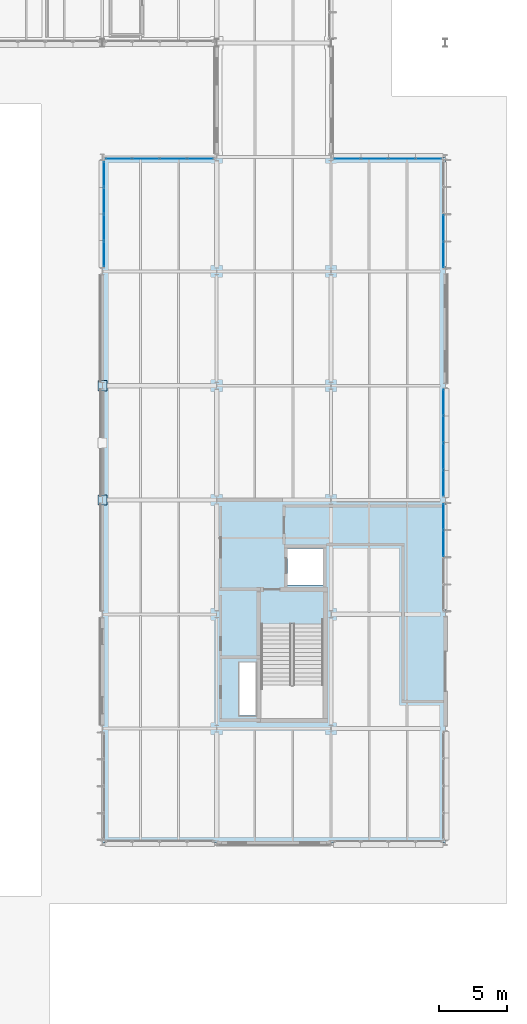
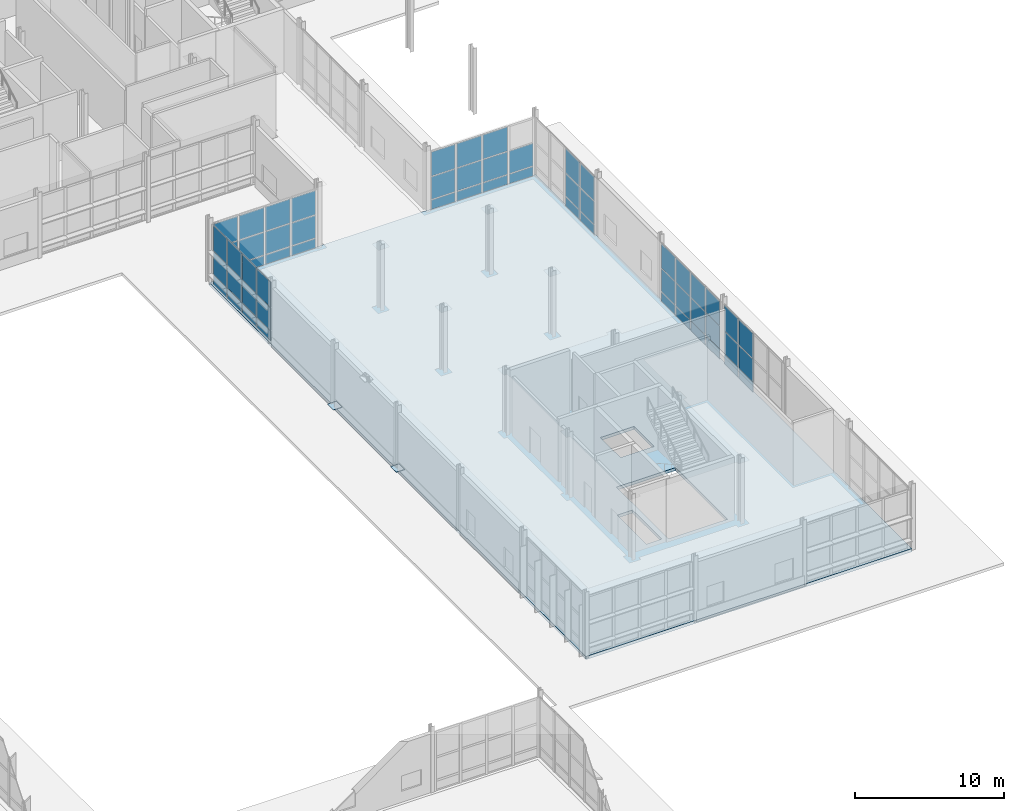
# One storey, part 78 of 124: 61 plates, 1 slab, 6 elements without a shape of their own.
"""IFC4 building model written with IfcOpenShell, lengths in metres."""

from ifc_helpers import new_model, si_unit, direction, frame, origin, origin_2d, place, context, subcontext, project, spatial, polyline, rectangle, outline, extrude, material, layer, layer_set, type_object, element, aggregate, save


model = new_model("IFC4")

# Units and contexts
model_context = context("Model", 3, precision=1e-05, world=origin(), true_north=direction((0.0, 1.0)))
body_context = subcontext(model_context, "Body", "Model", "MODEL_VIEW")
ifc_project = project(units=[si_unit("LENGTHUNIT", "METRE"), si_unit("AREAUNIT", "SQUARE_METRE"), si_unit("VOLUMEUNIT", "CUBIC_METRE"), si_unit("PLANEANGLEUNIT", "RADIAN"), si_unit("MASSUNIT", "GRAM", prefix="KILO")], contexts=[model_context])

# Site, building, storey
site_placement = place(None, origin())
site = spatial("IfcSite", under=ifc_project, at=site_placement, CompositionType="ELEMENT")
building_placement = place(site_placement, origin())
building = spatial("IfcBuilding", under=site, at=building_placement, Name="Mersafa Astral City Hall", CompositionType="ELEMENT")
storey_placement = place(building_placement, origin())
storey = spatial("IfcBuildingStorey", under=building, at=storey_placement, Name="L00", CompositionType="ELEMENT", Elevation=0.0)

# Curtain wall, plates
ifc_material_1 = material(Name="Anodised bronze aluminium framing", Category="aluminium")
curtain_wall_type_1 = type_object("IfcCurtainWallType", Name="ENV-CW-3", PredefinedType="USERDEFINED", material=ifc_material_1)
curtain_wall_1_placement = place(storey_placement, origin())
curtain_wall_1 = element("IfcCurtainWall", 1, at=curtain_wall_1_placement, inside=storey, type_object=curtain_wall_type_1, Name="L00 Unitised solar curtain wall 20", ObjectType="UNITISED CURTAIN WALL", PredefinedType="USERDEFINED")
ifc_material_2 = material(Name="Solar control low-e double glazing", Category="glass")
ifc_layer_1 = layer(ifc_material_2, 0.028076171875, Name="Solar control low-e double glazing")
ifc_layer_set_1 = layer_set([ifc_layer_1], Name="Solar control low-e double glazing — ENV-CW-PNL-GLZ-1")
plate_type_1 = type_object("IfcPlateType", Name="ENV-CW-PNL-GLZ-1", PredefinedType="CURTAIN_PANEL", material=ifc_layer_set_1)
plate_1_placement = place(storey_placement, frame((166.798583984375, 92.280029296875, 0.05810546875), z_axis=(0.0, 0.0, 1.0), x_axis=(-1.0, 0.0, 0.0)))
plate_1 = element("IfcPlate", 2, at=plate_1_placement, type_object=plate_type_1, Name="CW-3 panel 1.1", PredefinedType="CURTAIN_PANEL", context=body_context, shape_type="SweptSolid", body=[
    extrude(rectangle(XDim=1.839111328125, YDim=0.028076171875, at=origin_2d()), origin(), (0.0, 0.0, 1.0), 0.761962890625),
])
plate_2_placement = place(storey_placement, frame((166.798583984375, 92.280029296875, 0.8798828125), z_axis=(0.0, 0.0, 1.0), x_axis=(-1.0, 0.0, 0.0)))
plate_2 = element("IfcPlate", 3, at=plate_2_placement, type_object=plate_type_1, Name="CW-3 panel 1.2", PredefinedType="CURTAIN_PANEL", context=body_context, shape_type="SweptSolid", body=[
    extrude(rectangle(XDim=1.839111328125, YDim=0.028076171875, at=origin_2d()), origin(), (0.0, 0.0, 1.0), 1.840087890625),
])
plate_3_placement = place(storey_placement, frame((166.798583984375, 92.280029296875, 2.7802734375), z_axis=(0.0, 0.0, 1.0), x_axis=(-1.0, 0.0, 0.0)))
plate_3 = element("IfcPlate", 4, at=plate_3_placement, type_object=plate_type_1, Name="CW-3 panel 1.3", PredefinedType="CURTAIN_PANEL", context=body_context, shape_type="SweptSolid", body=[
    extrude(rectangle(XDim=1.839111328125, YDim=0.028076171875, at=origin_2d()), origin(), (0.0, 0.0, 1.0), 1.971923828125),
])
plate_4_placement = place(storey_placement, frame((164.8095703125, 92.280029296875, 0.05810546875), z_axis=(0.0, 0.0, 1.0), x_axis=(-1.0, 0.0, 0.0)))
plate_4 = element("IfcPlate", 5, at=plate_4_placement, type_object=plate_type_1, Name="CW-3 panel 2.1", PredefinedType="CURTAIN_PANEL", context=body_context, shape_type="SweptSolid", body=[
    extrude(rectangle(XDim=1.89892578125, YDim=0.028076171875, at=origin_2d()), origin(), (0.0, 0.0, 1.0), 0.761962890625),
])
plate_5_placement = place(storey_placement, frame((164.8095703125, 92.280029296875, 0.8798828125), z_axis=(0.0, 0.0, 1.0), x_axis=(-1.0, 0.0, 0.0)))
plate_5 = element("IfcPlate", 6, at=plate_5_placement, type_object=plate_type_1, Name="CW-3 panel 2.2", PredefinedType="CURTAIN_PANEL", context=body_context, shape_type="SweptSolid", body=[
    extrude(rectangle(XDim=1.89892578125, YDim=0.028076171875, at=origin_2d()), origin(), (0.0, 0.0, 1.0), 1.840087890625),
])
plate_6_placement = place(storey_placement, frame((164.8095703125, 92.280029296875, 2.7802734375), z_axis=(0.0, 0.0, 1.0), x_axis=(-1.0, 0.0, 0.0)))
plate_6 = element("IfcPlate", 7, at=plate_6_placement, type_object=plate_type_1, Name="CW-3 panel 2.3", PredefinedType="CURTAIN_PANEL", context=body_context, shape_type="SweptSolid", body=[
    extrude(rectangle(XDim=1.89892578125, YDim=0.028076171875, at=origin_2d()), origin(), (0.0, 0.0, 1.0), 1.971923828125),
])
plate_7_placement = place(storey_placement, frame((162.79052734375, 92.280029296875, 0.05810546875), z_axis=(0.0, 0.0, 1.0), x_axis=(-1.0, 0.0, 0.0)))
plate_7 = element("IfcPlate", 8, at=plate_7_placement, type_object=plate_type_1, Name="CW-3 panel 3.1", PredefinedType="CURTAIN_PANEL", context=body_context, shape_type="SweptSolid", body=[
    extrude(rectangle(XDim=1.89892578125, YDim=0.028076171875, at=origin_2d()), origin(), (0.0, 0.0, 1.0), 0.761962890625),
])
plate_8_placement = place(storey_placement, frame((162.79052734375, 92.280029296875, 0.8798828125), z_axis=(0.0, 0.0, 1.0), x_axis=(-1.0, 0.0, 0.0)))
plate_8 = element("IfcPlate", 9, at=plate_8_placement, type_object=plate_type_1, Name="CW-3 panel 3.2", PredefinedType="CURTAIN_PANEL", context=body_context, shape_type="SweptSolid", body=[
    extrude(rectangle(XDim=1.89892578125, YDim=0.028076171875, at=origin_2d()), origin(), (0.0, 0.0, 1.0), 1.840087890625),
])
plate_9_placement = place(storey_placement, frame((162.79052734375, 92.280029296875, 2.7802734375), z_axis=(0.0, 0.0, 1.0), x_axis=(-1.0, 0.0, 0.0)))
plate_9 = element("IfcPlate", 10, at=plate_9_placement, type_object=plate_type_1, Name="CW-3 panel 3.3", PredefinedType="CURTAIN_PANEL", context=body_context, shape_type="SweptSolid", body=[
    extrude(rectangle(XDim=1.89892578125, YDim=0.028076171875, at=origin_2d()), origin(), (0.0, 0.0, 1.0), 1.971923828125),
])
plate_10_placement = place(storey_placement, frame((160.801513671875, 92.280029296875, 0.05810546875), z_axis=(0.0, 0.0, 1.0), x_axis=(-1.0, 0.0, 0.0)))
plate_10 = element("IfcPlate", 11, at=plate_10_placement, type_object=plate_type_1, Name="CW-3 panel 4.1", PredefinedType="CURTAIN_PANEL", context=body_context, shape_type="SweptSolid", body=[
    extrude(rectangle(XDim=1.839111328125, YDim=0.028076171875, at=origin_2d()), origin(), (0.0, 0.0, 1.0), 0.761962890625),
])
plate_11_placement = place(storey_placement, frame((160.801513671875, 92.280029296875, 0.8798828125), z_axis=(0.0, 0.0, 1.0), x_axis=(-1.0, 0.0, 0.0)))
plate_11 = element("IfcPlate", 12, at=plate_11_placement, type_object=plate_type_1, Name="CW-3 panel 4.2", PredefinedType="CURTAIN_PANEL", context=body_context, shape_type="SweptSolid", body=[
    extrude(rectangle(XDim=1.839111328125, YDim=0.028076171875, at=origin_2d()), origin(), (0.0, 0.0, 1.0), 1.840087890625),
])
plate_12_placement = place(storey_placement, frame((160.801513671875, 92.280029296875, 2.7802734375), z_axis=(0.0, 0.0, 1.0), x_axis=(-1.0, 0.0, 0.0)))
plate_12 = element("IfcPlate", 13, at=plate_12_placement, type_object=plate_type_1, Name="CW-3 panel 4.3", PredefinedType="CURTAIN_PANEL", context=body_context, shape_type="SweptSolid", body=[
    extrude(rectangle(XDim=1.839111328125, YDim=0.028076171875, at=origin_2d()), origin(), (0.0, 0.0, 1.0), 1.971923828125),
])
aggregate(curtain_wall_1, [plate_1, plate_2, plate_3, plate_4, plate_5, plate_6, plate_7, plate_8, plate_9, plate_10, plate_11, plate_12])

curtain_wall_type_2 = type_object("IfcCurtainWallType", Name="ENV-CW-5", PredefinedType="USERDEFINED", material=ifc_material_1)
curtain_wall_2_placement = place(storey_placement, origin())
curtain_wall_2 = element("IfcCurtainWall", 14, at=curtain_wall_2_placement, inside=storey, type_object=curtain_wall_type_2, Name="L00 Unitised solar curtain wall 28", ObjectType="UNITISED CURTAIN WALL", PredefinedType="USERDEFINED")
plate_13_placement = place(storey_placement, frame((184.679931640625, 85.225341796875, 0.05810546875), z_axis=(0.0, 0.0, 1.0), x_axis=(0.0, 1.0, 0.0)))
plate_13 = element("IfcPlate", 15, at=plate_13_placement, type_object=plate_type_1, Name="CW-5 panel 1.1", PredefinedType="CURTAIN_PANEL", context=body_context, shape_type="SweptSolid", body=[
    extrude(rectangle(XDim=1.826416015625, YDim=0.028076171875, at=origin_2d()), origin(), (0.0, 0.0, 1.0), 0.761962890625),
])
plate_14_placement = place(storey_placement, frame((184.679931640625, 85.225341796875, 0.8798828125), z_axis=(0.0, 0.0, 1.0), x_axis=(0.0, 1.0, 0.0)))
plate_14 = element("IfcPlate", 16, at=plate_14_placement, type_object=plate_type_1, Name="CW-5 panel 1.2", PredefinedType="CURTAIN_PANEL", context=body_context, shape_type="SweptSolid", body=[
    extrude(rectangle(XDim=1.826416015625, YDim=0.028076171875, at=origin_2d()), origin(), (0.0, 0.0, 1.0), 1.840087890625),
])
plate_15_placement = place(storey_placement, frame((184.679931640625, 85.225341796875, 2.7802734375), z_axis=(0.0, 0.0, 1.0), x_axis=(0.0, 1.0, 0.0)))
plate_15 = element("IfcPlate", 17, at=plate_15_placement, type_object=plate_type_1, Name="CW-5 panel 1.3", PredefinedType="CURTAIN_PANEL", context=body_context, shape_type="SweptSolid", body=[
    extrude(rectangle(XDim=1.826416015625, YDim=0.028076171875, at=origin_2d()), origin(), (0.0, 0.0, 1.0), 1.971923828125),
])
plate_16_placement = place(storey_placement, frame((184.679931640625, 87.20166015625, 0.05810546875), z_axis=(0.0, 0.0, 1.0), x_axis=(0.0, 1.0, 0.0)))
plate_16 = element("IfcPlate", 18, at=plate_16_placement, type_object=plate_type_1, Name="CW-5 panel 2.1", PredefinedType="CURTAIN_PANEL", context=body_context, shape_type="SweptSolid", body=[
    extrude(rectangle(XDim=1.886474609375, YDim=0.028076171875, at=origin_2d()), origin(), (0.0, 0.0, 1.0), 0.761962890625),
])
plate_17_placement = place(storey_placement, frame((184.679931640625, 87.20166015625, 0.8798828125), z_axis=(0.0, 0.0, 1.0), x_axis=(0.0, 1.0, 0.0)))
plate_17 = element("IfcPlate", 19, at=plate_17_placement, type_object=plate_type_1, Name="CW-5 panel 2.2", PredefinedType="CURTAIN_PANEL", context=body_context, shape_type="SweptSolid", body=[
    extrude(rectangle(XDim=1.886474609375, YDim=0.028076171875, at=origin_2d()), origin(), (0.0, 0.0, 1.0), 1.840087890625),
])
plate_18_placement = place(storey_placement, frame((184.679931640625, 87.20166015625, 2.7802734375), z_axis=(0.0, 0.0, 1.0), x_axis=(0.0, 1.0, 0.0)))
plate_18 = element("IfcPlate", 20, at=plate_18_placement, type_object=plate_type_1, Name="CW-5 panel 2.3", PredefinedType="CURTAIN_PANEL", context=body_context, shape_type="SweptSolid", body=[
    extrude(rectangle(XDim=1.886474609375, YDim=0.028076171875, at=origin_2d()), origin(), (0.0, 0.0, 1.0), 1.971923828125),
])
aggregate(curtain_wall_2, [plate_13, plate_14, plate_15, plate_16, plate_17, plate_18])

curtain_wall_type_3 = type_object("IfcCurtainWallType", Name="ENV-CW-4", PredefinedType="USERDEFINED", material=ifc_material_1)
curtain_wall_3_placement = place(storey_placement, origin())
curtain_wall_3 = element("IfcCurtainWall", 21, at=curtain_wall_3_placement, inside=storey, type_object=curtain_wall_type_3, Name="L00 Unitised solar curtain wall 21", ObjectType="UNITISED CURTAIN WALL", PredefinedType="USERDEFINED")
ifc_layer_2 = layer(ifc_material_2, 0.031982421875, Name="Solar control low-e double glazing")
ifc_layer_set_2 = layer_set([ifc_layer_2], Name="Solar control low-e double glazing — ENV-CW-PNL-GLZ-2")
plate_type_2 = type_object("IfcPlateType", Name="ENV-CW-PNL-GLZ-2", PredefinedType="CURTAIN_PANEL", material=ifc_layer_set_2)
plate_19_placement = place(storey_placement, frame((159.719970703125, 91.145263671875, 0.05810546875), z_axis=(0.0, 0.0, 1.0), x_axis=(0.0, -1.0, 0.0)))
plate_19 = element("IfcPlate", 22, at=plate_19_placement, type_object=plate_type_2, Name="CW-4 panel 1.1", PredefinedType="CURTAIN_PANEL", context=body_context, shape_type="SweptSolid", body=[
    extrude(rectangle(XDim=1.795166015625, YDim=0.031982421875, at=origin_2d()), origin(), (0.0, 0.0, 1.0), 0.761962890625),
])
plate_20_placement = place(storey_placement, frame((159.719970703125, 91.145263671875, 0.8798828125), z_axis=(0.0, 0.0, 1.0), x_axis=(0.0, -1.0, 0.0)))
plate_20 = element("IfcPlate", 23, at=plate_20_placement, type_object=plate_type_2, Name="CW-4 panel 1.2", PredefinedType="CURTAIN_PANEL", context=body_context, shape_type="SweptSolid", body=[
    extrude(rectangle(XDim=1.795166015625, YDim=0.031982421875, at=origin_2d()), origin(), (0.0, 0.0, 1.0), 1.840087890625),
])
plate_21_placement = place(storey_placement, frame((159.719970703125, 91.145263671875, 2.780029296875), z_axis=(0.0, 0.0, 1.0), x_axis=(0.0, -1.0, 0.0)))
plate_21 = element("IfcPlate", 24, at=plate_21_placement, type_object=plate_type_2, Name="CW-4 panel 1.3", PredefinedType="CURTAIN_PANEL", context=body_context, shape_type="SweptSolid", body=[
    extrude(rectangle(XDim=1.795166015625, YDim=0.031982421875, at=origin_2d()), origin(), (0.0, 0.0, 1.0), 2.06201171875),
])
plate_22_placement = place(storey_placement, frame((159.719970703125, 89.2001953125, 0.05810546875), z_axis=(0.0, 0.0, 1.0), x_axis=(0.0, -1.0, 0.0)))
plate_22 = element("IfcPlate", 25, at=plate_22_placement, type_object=plate_type_2, Name="CW-4 panel 2.1", PredefinedType="CURTAIN_PANEL", context=body_context, shape_type="SweptSolid", body=[
    extrude(rectangle(XDim=1.855224609375, YDim=0.031982421875, at=origin_2d()), origin(), (0.0, 0.0, 1.0), 0.761962890625),
])
plate_23_placement = place(storey_placement, frame((159.719970703125, 89.2001953125, 0.8798828125), z_axis=(0.0, 0.0, 1.0), x_axis=(0.0, -1.0, 0.0)))
plate_23 = element("IfcPlate", 26, at=plate_23_placement, type_object=plate_type_2, Name="CW-4 panel 2.2", PredefinedType="CURTAIN_PANEL", context=body_context, shape_type="SweptSolid", body=[
    extrude(rectangle(XDim=1.855224609375, YDim=0.031982421875, at=origin_2d()), origin(), (0.0, 0.0, 1.0), 1.840087890625),
])
plate_24_placement = place(storey_placement, frame((159.719970703125, 89.2001953125, 2.780029296875), z_axis=(0.0, 0.0, 1.0), x_axis=(0.0, -1.0, 0.0)))
plate_24 = element("IfcPlate", 27, at=plate_24_placement, type_object=plate_type_2, Name="CW-4 panel 2.3", PredefinedType="CURTAIN_PANEL", context=body_context, shape_type="SweptSolid", body=[
    extrude(rectangle(XDim=1.855224609375, YDim=0.031982421875, at=origin_2d()), origin(), (0.0, 0.0, 1.0), 2.06201171875),
])
plate_25_placement = place(storey_placement, frame((159.719970703125, 87.224853515625, 0.05810546875), z_axis=(0.0, 0.0, 1.0), x_axis=(0.0, -1.0, 0.0)))
plate_25 = element("IfcPlate", 28, at=plate_25_placement, type_object=plate_type_2, Name="CW-4 panel 3.1", PredefinedType="CURTAIN_PANEL", context=body_context, shape_type="SweptSolid", body=[
    extrude(rectangle(XDim=1.855224609375, YDim=0.031982421875, at=origin_2d()), origin(), (0.0, 0.0, 1.0), 0.761962890625),
])
plate_26_placement = place(storey_placement, frame((159.719970703125, 87.224853515625, 0.8798828125), z_axis=(0.0, 0.0, 1.0), x_axis=(0.0, -1.0, 0.0)))
plate_26 = element("IfcPlate", 29, at=plate_26_placement, type_object=plate_type_2, Name="CW-4 panel 3.2", PredefinedType="CURTAIN_PANEL", context=body_context, shape_type="SweptSolid", body=[
    extrude(rectangle(XDim=1.855224609375, YDim=0.031982421875, at=origin_2d()), origin(), (0.0, 0.0, 1.0), 1.840087890625),
])
plate_27_placement = place(storey_placement, frame((159.719970703125, 87.224853515625, 2.780029296875), z_axis=(0.0, 0.0, 1.0), x_axis=(0.0, -1.0, 0.0)))
plate_27 = element("IfcPlate", 30, at=plate_27_placement, type_object=plate_type_2, Name="CW-4 panel 3.3", PredefinedType="CURTAIN_PANEL", context=body_context, shape_type="SweptSolid", body=[
    extrude(rectangle(XDim=1.855224609375, YDim=0.031982421875, at=origin_2d()), origin(), (0.0, 0.0, 1.0), 2.06201171875),
])
plate_28_placement = place(storey_placement, frame((159.719970703125, 85.279541015625, 0.05810546875), z_axis=(0.0, 0.0, 1.0), x_axis=(0.0, -1.0, 0.0)))
plate_28 = element("IfcPlate", 31, at=plate_28_placement, type_object=plate_type_2, Name="CW-4 panel 4.1", PredefinedType="CURTAIN_PANEL", context=body_context, shape_type="SweptSolid", body=[
    extrude(rectangle(XDim=1.795166015625, YDim=0.031982421875, at=origin_2d()), origin(), (0.0, 0.0, 1.0), 0.761962890625),
])
plate_29_placement = place(storey_placement, frame((159.719970703125, 85.279541015625, 0.8798828125), z_axis=(0.0, 0.0, 1.0), x_axis=(0.0, -1.0, 0.0)))
plate_29 = element("IfcPlate", 32, at=plate_29_placement, type_object=plate_type_2, Name="CW-4 panel 4.2", PredefinedType="CURTAIN_PANEL", context=body_context, shape_type="SweptSolid", body=[
    extrude(rectangle(XDim=1.795166015625, YDim=0.031982421875, at=origin_2d()), origin(), (0.0, 0.0, 1.0), 1.840087890625),
])
plate_30_placement = place(storey_placement, frame((159.719970703125, 85.279541015625, 2.780029296875), z_axis=(0.0, 0.0, 1.0), x_axis=(0.0, -1.0, 0.0)))
plate_30 = element("IfcPlate", 33, at=plate_30_placement, type_object=plate_type_2, Name="CW-4 panel 4.3", PredefinedType="CURTAIN_PANEL", context=body_context, shape_type="SweptSolid", body=[
    extrude(rectangle(XDim=1.795166015625, YDim=0.031982421875, at=origin_2d()), origin(), (0.0, 0.0, 1.0), 2.06201171875),
])
aggregate(curtain_wall_3, [plate_19, plate_20, plate_21, plate_22, plate_23, plate_24, plate_25, plate_26, plate_27, plate_28, plate_29, plate_30])

curtain_wall_type_4 = type_object("IfcCurtainWallType", Name="ENV-CW-6", PredefinedType="USERDEFINED", material=ifc_material_1)
curtain_wall_4_placement = place(storey_placement, origin())
curtain_wall_4 = element("IfcCurtainWall", 34, at=curtain_wall_4_placement, inside=storey, type_object=curtain_wall_type_4, Name="L00 Unitised solar curtain wall 29", ObjectType="UNITISED CURTAIN WALL", PredefinedType="USERDEFINED")
plate_31_placement = place(storey_placement, frame((183.598388671875, 92.280029296875, 0.05810546875), z_axis=(0.0, 0.0, 1.0), x_axis=(-1.0, 0.0, 0.0)))
plate_31 = element("IfcPlate", 35, at=plate_31_placement, type_object=plate_type_2, Name="CW-6 panel 1.1", PredefinedType="CURTAIN_PANEL", context=body_context, shape_type="SweptSolid", body=[
    extrude(rectangle(XDim=1.839111328125, YDim=0.031982421875, at=origin_2d()), origin(), (0.0, 0.0, 1.0), 0.761962890625),
])
plate_32_placement = place(storey_placement, frame((183.598388671875, 92.280029296875, 0.8798828125), z_axis=(0.0, 0.0, 1.0), x_axis=(-1.0, 0.0, 0.0)))
plate_32 = element("IfcPlate", 36, at=plate_32_placement, type_object=plate_type_2, Name="CW-6 panel 1.2", PredefinedType="CURTAIN_PANEL", context=body_context, shape_type="SweptSolid", body=[
    extrude(rectangle(XDim=1.839111328125, YDim=0.031982421875, at=origin_2d()), origin(), (0.0, 0.0, 1.0), 1.840087890625),
])
plate_33_placement = place(storey_placement, frame((181.609619140625, 92.280029296875, 0.05810546875), z_axis=(0.0, 0.0, 1.0), x_axis=(-1.0, 0.0, 0.0)))
plate_33 = element("IfcPlate", 37, at=plate_33_placement, type_object=plate_type_2, Name="CW-6 panel 2.1", PredefinedType="CURTAIN_PANEL", context=body_context, shape_type="SweptSolid", body=[
    extrude(rectangle(XDim=1.89892578125, YDim=0.031982421875, at=origin_2d()), origin(), (0.0, 0.0, 1.0), 0.761962890625),
])
plate_34_placement = place(storey_placement, frame((181.609619140625, 92.280029296875, 0.8798828125), z_axis=(0.0, 0.0, 1.0), x_axis=(-1.0, 0.0, 0.0)))
plate_34 = element("IfcPlate", 38, at=plate_34_placement, type_object=plate_type_2, Name="CW-6 panel 2.2", PredefinedType="CURTAIN_PANEL", context=body_context, shape_type="SweptSolid", body=[
    extrude(rectangle(XDim=1.89892578125, YDim=0.031982421875, at=origin_2d()), origin(), (0.0, 0.0, 1.0), 1.840087890625),
])
plate_35_placement = place(storey_placement, frame((181.609619140625, 92.280029296875, 2.7802734375), z_axis=(0.0, 0.0, 1.0), x_axis=(-1.0, 0.0, 0.0)))
plate_35 = element("IfcPlate", 39, at=plate_35_placement, type_object=plate_type_2, Name="CW-6 panel 2.3", PredefinedType="CURTAIN_PANEL", context=body_context, shape_type="SweptSolid", body=[
    extrude(rectangle(XDim=1.89892578125, YDim=0.031982421875, at=origin_2d()), origin(), (0.0, 0.0, 1.0), 1.971923828125),
])
plate_36_placement = place(storey_placement, frame((179.590576171875, 92.280029296875, 0.05810546875), z_axis=(0.0, 0.0, 1.0), x_axis=(-1.0, 0.0, 0.0)))
plate_36 = element("IfcPlate", 40, at=plate_36_placement, type_object=plate_type_2, Name="CW-6 panel 3.1", PredefinedType="CURTAIN_PANEL", context=body_context, shape_type="SweptSolid", body=[
    extrude(rectangle(XDim=1.89892578125, YDim=0.031982421875, at=origin_2d()), origin(), (0.0, 0.0, 1.0), 0.761962890625),
])
plate_37_placement = place(storey_placement, frame((179.590576171875, 92.280029296875, 0.8798828125), z_axis=(0.0, 0.0, 1.0), x_axis=(-1.0, 0.0, 0.0)))
plate_37 = element("IfcPlate", 41, at=plate_37_placement, type_object=plate_type_2, Name="CW-6 panel 3.2", PredefinedType="CURTAIN_PANEL", context=body_context, shape_type="SweptSolid", body=[
    extrude(rectangle(XDim=1.89892578125, YDim=0.031982421875, at=origin_2d()), origin(), (0.0, 0.0, 1.0), 1.840087890625),
])
plate_38_placement = place(storey_placement, frame((179.590576171875, 92.280029296875, 2.7802734375), z_axis=(0.0, 0.0, 1.0), x_axis=(-1.0, 0.0, 0.0)))
plate_38 = element("IfcPlate", 42, at=plate_38_placement, type_object=plate_type_2, Name="CW-6 panel 3.3", PredefinedType="CURTAIN_PANEL", context=body_context, shape_type="SweptSolid", body=[
    extrude(rectangle(XDim=1.89892578125, YDim=0.031982421875, at=origin_2d()), origin(), (0.0, 0.0, 1.0), 1.971923828125),
])
plate_39_placement = place(storey_placement, frame((177.6015625, 92.280029296875, 0.05810546875), z_axis=(0.0, 0.0, 1.0), x_axis=(-1.0, 0.0, 0.0)))
plate_39 = element("IfcPlate", 43, at=plate_39_placement, type_object=plate_type_2, Name="CW-6 panel 4.1", PredefinedType="CURTAIN_PANEL", context=body_context, shape_type="SweptSolid", body=[
    extrude(rectangle(XDim=1.839111328125, YDim=0.031982421875, at=origin_2d()), origin(), (0.0, 0.0, 1.0), 0.761962890625),
])
plate_40_placement = place(storey_placement, frame((177.6015625, 92.280029296875, 0.8798828125), z_axis=(0.0, 0.0, 1.0), x_axis=(-1.0, 0.0, 0.0)))
plate_40 = element("IfcPlate", 44, at=plate_40_placement, type_object=plate_type_2, Name="CW-6 panel 4.2", PredefinedType="CURTAIN_PANEL", context=body_context, shape_type="SweptSolid", body=[
    extrude(rectangle(XDim=1.839111328125, YDim=0.031982421875, at=origin_2d()), origin(), (0.0, 0.0, 1.0), 1.840087890625),
])
plate_41_placement = place(storey_placement, frame((177.6015625, 92.280029296875, 2.7802734375), z_axis=(0.0, 0.0, 1.0), x_axis=(-1.0, 0.0, 0.0)))
plate_41 = element("IfcPlate", 45, at=plate_41_placement, type_object=plate_type_2, Name="CW-6 panel 4.3", PredefinedType="CURTAIN_PANEL", context=body_context, shape_type="SweptSolid", body=[
    extrude(rectangle(XDim=1.839111328125, YDim=0.031982421875, at=origin_2d()), origin(), (0.0, 0.0, 1.0), 1.971923828125),
])
aggregate(curtain_wall_4, [plate_31, plate_32, plate_33, plate_34, plate_35, plate_36, plate_37, plate_38, plate_39, plate_40, plate_41])

curtain_wall_5_placement = place(storey_placement, origin())
curtain_wall_5 = element("IfcCurtainWall", 46, at=curtain_wall_5_placement, inside=storey, type_object=curtain_wall_type_1, Name="L00 Unitised solar curtain wall 26", ObjectType="UNITISED CURTAIN WALL", PredefinedType="USERDEFINED")
ifc_layer_3 = layer(ifc_material_2, 0.035888671875, Name="Solar control low-e double glazing")
ifc_layer_set_3 = layer_set([ifc_layer_3], Name="Solar control low-e double glazing — ENV-CW-PNL-GLZ-3")
plate_type_3 = type_object("IfcPlateType", Name="ENV-CW-PNL-GLZ-3", PredefinedType="CURTAIN_PANEL", material=ifc_layer_set_3)
plate_42_placement = place(storey_placement, frame((184.679931640625, 63.998291015625, 0.05810546875), z_axis=(0.0, 0.0, 1.0), x_axis=(0.0, 1.0, 0.0)))
plate_42 = element("IfcPlate", 47, at=plate_42_placement, type_object=plate_type_3, Name="CW-3 panel 3.1", PredefinedType="CURTAIN_PANEL", context=body_context, shape_type="SweptSolid", body=[
    extrude(rectangle(XDim=1.886474609375, YDim=0.035888671875, at=origin_2d()), origin(), (0.0, 0.0, 1.0), 0.761962890625),
])
plate_43_placement = place(storey_placement, frame((184.679931640625, 63.998291015625, 0.8798828125), z_axis=(0.0, 0.0, 1.0), x_axis=(0.0, 1.0, 0.0)))
plate_43 = element("IfcPlate", 48, at=plate_43_placement, type_object=plate_type_3, Name="CW-3 panel 3.2", PredefinedType="CURTAIN_PANEL", context=body_context, shape_type="SweptSolid", body=[
    extrude(rectangle(XDim=1.886474609375, YDim=0.035888671875, at=origin_2d()), origin(), (0.0, 0.0, 1.0), 1.840087890625),
])
plate_44_placement = place(storey_placement, frame((184.679931640625, 63.998291015625, 2.780029296875), z_axis=(0.0, 0.0, 1.0), x_axis=(0.0, 1.0, 0.0)))
plate_44 = element("IfcPlate", 49, at=plate_44_placement, type_object=plate_type_3, Name="CW-3 panel 3.3", PredefinedType="CURTAIN_PANEL", context=body_context, shape_type="SweptSolid", body=[
    extrude(rectangle(XDim=1.886474609375, YDim=0.035888671875, at=origin_2d()), origin(), (0.0, 0.0, 1.0), 2.06201171875),
])
plate_45_placement = place(storey_placement, frame((184.679931640625, 65.974853515625, 0.05810546875), z_axis=(0.0, 0.0, 1.0), x_axis=(0.0, 1.0, 0.0)))
plate_45 = element("IfcPlate", 50, at=plate_45_placement, type_object=plate_type_3, Name="CW-3 panel 4.1", PredefinedType="CURTAIN_PANEL", context=body_context, shape_type="SweptSolid", body=[
    extrude(rectangle(XDim=1.826416015625, YDim=0.035888671875, at=origin_2d()), origin(), (0.0, 0.0, 1.0), 0.761962890625),
])
plate_46_placement = place(storey_placement, frame((184.679931640625, 65.974853515625, 0.8798828125), z_axis=(0.0, 0.0, 1.0), x_axis=(0.0, 1.0, 0.0)))
plate_46 = element("IfcPlate", 51, at=plate_46_placement, type_object=plate_type_3, Name="CW-3 panel 4.2", PredefinedType="CURTAIN_PANEL", context=body_context, shape_type="SweptSolid", body=[
    extrude(rectangle(XDim=1.826416015625, YDim=0.035888671875, at=origin_2d()), origin(), (0.0, 0.0, 1.0), 1.840087890625),
])
plate_47_placement = place(storey_placement, frame((184.679931640625, 65.974853515625, 2.780029296875), z_axis=(0.0, 0.0, 1.0), x_axis=(0.0, 1.0, 0.0)))
plate_47 = element("IfcPlate", 52, at=plate_47_placement, type_object=plate_type_3, Name="CW-3 panel 4.3", PredefinedType="CURTAIN_PANEL", context=body_context, shape_type="SweptSolid", body=[
    extrude(rectangle(XDim=1.826416015625, YDim=0.035888671875, at=origin_2d()), origin(), (0.0, 0.0, 1.0), 2.06201171875),
])
aggregate(curtain_wall_5, [plate_42, plate_43, plate_44, plate_45, plate_46, plate_47])

curtain_wall_6_placement = place(storey_placement, origin())
curtain_wall_6 = element("IfcCurtainWall", 53, at=curtain_wall_6_placement, inside=storey, type_object=curtain_wall_type_3, Name="L00 Unitised solar curtain wall 27", ObjectType="UNITISED CURTAIN WALL", PredefinedType="USERDEFINED")
ifc_layer_4 = layer(ifc_material_2, 0.0400390625, Name="Solar control low-e double glazing")
ifc_layer_set_4 = layer_set([ifc_layer_4], Name="Solar control low-e double glazing — ENV-CW-PNL-GLZ-4")
plate_type_4 = type_object("IfcPlateType", Name="ENV-CW-PNL-GLZ-4", PredefinedType="CURTAIN_PANEL", material=ifc_layer_set_4)
plate_48_placement = place(storey_placement, frame((184.679931640625, 68.42529296875, 0.05810546875), z_axis=(0.0, 0.0, 1.0), x_axis=(0.0, 1.0, 0.0)))
plate_48 = element("IfcPlate", 54, at=plate_48_placement, type_object=plate_type_4, Name="CW-4 panel 1.1", PredefinedType="CURTAIN_PANEL", context=body_context, shape_type="SweptSolid", body=[
    extrude(rectangle(XDim=1.826416015625, YDim=0.0400390625, at=origin_2d()), origin(), (0.0, 0.0, 1.0), 0.761962890625),
])
plate_49_placement = place(storey_placement, frame((184.679931640625, 68.42529296875, 0.8798828125), z_axis=(0.0, 0.0, 1.0), x_axis=(0.0, 1.0, 0.0)))
plate_49 = element("IfcPlate", 55, at=plate_49_placement, type_object=plate_type_4, Name="CW-4 panel 1.2", PredefinedType="CURTAIN_PANEL", context=body_context, shape_type="SweptSolid", body=[
    extrude(rectangle(XDim=1.826416015625, YDim=0.0400390625, at=origin_2d()), origin(), (0.0, 0.0, 1.0), 1.840087890625),
])
plate_50_placement = place(storey_placement, frame((184.679931640625, 68.42529296875, 2.7802734375), z_axis=(0.0, 0.0, 1.0), x_axis=(0.0, 1.0, 0.0)))
plate_50 = element("IfcPlate", 56, at=plate_50_placement, type_object=plate_type_4, Name="CW-4 panel 1.3", PredefinedType="CURTAIN_PANEL", context=body_context, shape_type="SweptSolid", body=[
    extrude(rectangle(XDim=1.826416015625, YDim=0.0400390625, at=origin_2d()), origin(), (0.0, 0.0, 1.0), 1.971923828125),
])
plate_51_placement = place(storey_placement, frame((184.679931640625, 70.40185546875, 0.05810546875), z_axis=(0.0, 0.0, 1.0), x_axis=(0.0, 1.0, 0.0)))
plate_51 = element("IfcPlate", 57, at=plate_51_placement, type_object=plate_type_4, Name="CW-4 panel 2.1", PredefinedType="CURTAIN_PANEL", context=body_context, shape_type="SweptSolid", body=[
    extrude(rectangle(XDim=1.886474609375, YDim=0.0400390625, at=origin_2d()), origin(), (0.0, 0.0, 1.0), 0.761962890625),
])
plate_52_placement = place(storey_placement, frame((184.679931640625, 70.40185546875, 0.8798828125), z_axis=(0.0, 0.0, 1.0), x_axis=(0.0, 1.0, 0.0)))
plate_52 = element("IfcPlate", 58, at=plate_52_placement, type_object=plate_type_4, Name="CW-4 panel 2.2", PredefinedType="CURTAIN_PANEL", context=body_context, shape_type="SweptSolid", body=[
    extrude(rectangle(XDim=1.886474609375, YDim=0.0400390625, at=origin_2d()), origin(), (0.0, 0.0, 1.0), 1.840087890625),
])
plate_53_placement = place(storey_placement, frame((184.679931640625, 70.40185546875, 2.7802734375), z_axis=(0.0, 0.0, 1.0), x_axis=(0.0, 1.0, 0.0)))
plate_53 = element("IfcPlate", 59, at=plate_53_placement, type_object=plate_type_4, Name="CW-4 panel 2.3", PredefinedType="CURTAIN_PANEL", context=body_context, shape_type="SweptSolid", body=[
    extrude(rectangle(XDim=1.886474609375, YDim=0.0400390625, at=origin_2d()), origin(), (0.0, 0.0, 1.0), 1.971923828125),
])
plate_54_placement = place(storey_placement, frame((184.679931640625, 72.408203125, 0.05810546875), z_axis=(0.0, 0.0, 1.0), x_axis=(0.0, 1.0, 0.0)))
plate_54 = element("IfcPlate", 60, at=plate_54_placement, type_object=plate_type_4, Name="CW-4 panel 3.1", PredefinedType="CURTAIN_PANEL", context=body_context, shape_type="SweptSolid", body=[
    extrude(rectangle(XDim=1.886474609375, YDim=0.0400390625, at=origin_2d()), origin(), (0.0, 0.0, 1.0), 0.761962890625),
])
plate_55_placement = place(storey_placement, frame((184.679931640625, 72.408203125, 0.8798828125), z_axis=(0.0, 0.0, 1.0), x_axis=(0.0, 1.0, 0.0)))
plate_55 = element("IfcPlate", 61, at=plate_55_placement, type_object=plate_type_4, Name="CW-4 panel 3.2", PredefinedType="CURTAIN_PANEL", context=body_context, shape_type="SweptSolid", body=[
    extrude(rectangle(XDim=1.886474609375, YDim=0.0400390625, at=origin_2d()), origin(), (0.0, 0.0, 1.0), 1.840087890625),
])
plate_56_placement = place(storey_placement, frame((184.679931640625, 72.408203125, 2.7802734375), z_axis=(0.0, 0.0, 1.0), x_axis=(0.0, 1.0, 0.0)))
plate_56 = element("IfcPlate", 62, at=plate_56_placement, type_object=plate_type_4, Name="CW-4 panel 3.3", PredefinedType="CURTAIN_PANEL", context=body_context, shape_type="SweptSolid", body=[
    extrude(rectangle(XDim=1.886474609375, YDim=0.0400390625, at=origin_2d()), origin(), (0.0, 0.0, 1.0), 1.971923828125),
])
plate_57_placement = place(storey_placement, frame((184.679931640625, 74.384765625, 0.05810546875), z_axis=(0.0, 0.0, 1.0), x_axis=(0.0, 1.0, 0.0)))
plate_57 = element("IfcPlate", 63, at=plate_57_placement, type_object=plate_type_4, Name="CW-4 panel 4.1", PredefinedType="CURTAIN_PANEL", context=body_context, shape_type="SweptSolid", body=[
    extrude(rectangle(XDim=1.826416015625, YDim=0.0400390625, at=origin_2d()), origin(), (0.0, 0.0, 1.0), 0.761962890625),
])
plate_58_placement = place(storey_placement, frame((184.679931640625, 74.384765625, 0.8798828125), z_axis=(0.0, 0.0, 1.0), x_axis=(0.0, 1.0, 0.0)))
plate_58 = element("IfcPlate", 64, at=plate_58_placement, type_object=plate_type_4, Name="CW-4 panel 4.2", PredefinedType="CURTAIN_PANEL", context=body_context, shape_type="SweptSolid", body=[
    extrude(rectangle(XDim=1.826416015625, YDim=0.0400390625, at=origin_2d()), origin(), (0.0, 0.0, 1.0), 1.840087890625),
])
plate_59_placement = place(storey_placement, frame((184.679931640625, 74.384765625, 2.7802734375), z_axis=(0.0, 0.0, 1.0), x_axis=(0.0, 1.0, 0.0)))
plate_59 = element("IfcPlate", 65, at=plate_59_placement, type_object=plate_type_4, Name="CW-4 panel 4.3", PredefinedType="CURTAIN_PANEL", context=body_context, shape_type="SweptSolid", body=[
    extrude(rectangle(XDim=1.826416015625, YDim=0.0400390625, at=origin_2d()), origin(), (0.0, 0.0, 1.0), 1.971923828125),
])
aggregate(curtain_wall_6, [plate_48, plate_49, plate_50, plate_51, plate_52, plate_53, plate_54, plate_55, plate_56, plate_57, plate_58, plate_59])

# Plates
ifc_material_3 = material(Name="Steel S355", Category="steel")
ifc_layer_5 = layer(ifc_material_3, 0.02587890625, Name="Steel S355")
ifc_layer_set_5 = layer_set([ifc_layer_5], Name="Steel S355 — STR-PLT-NP-13")
plate_type_5 = type_object("IfcPlateType", Name="STR-PLT-NP-13", PredefinedType="SHEET", material=ifc_layer_set_5)
plate_60_placement = place(storey_placement, frame((159.60009765625, 67.197998046875, 0.107177734375), z_axis=(0.0, 0.0, 1.0), x_axis=(1.0, 0.0, 0.0)))
element("IfcPlate", 66, at=plate_60_placement, inside=storey, type_object=plate_type_5, Name="L00 Structural steel brace gusset plate NP-13", PredefinedType="SHEET", context=body_context, shape_type="SweptSolid", body=[
    extrude(rectangle(XDim=0.659912109375, YDim=0.760009765625, at=origin_2d()), origin(), (0.0, 0.0, 1.0), 0.02587890625),
])
ifc_layer_6 = layer(ifc_material_3, 0.027099609375, Name="Steel S355")
ifc_layer_set_6 = layer_set([ifc_layer_6], Name="Steel S355 — STR-PLT-NP-14")
plate_type_6 = type_object("IfcPlateType", Name="STR-PLT-NP-14", PredefinedType="SHEET", material=ifc_layer_set_6)
plate_61_placement = place(storey_placement, frame((159.60009765625, 75.60205078125, 0.1064453125), z_axis=(0.0, 0.0, 1.0), x_axis=(1.0, 0.0, 0.0)))
element("IfcPlate", 67, at=plate_61_placement, inside=storey, type_object=plate_type_6, Name="L00 Structural steel brace gusset plate NP-14", PredefinedType="SHEET", context=body_context, shape_type="SweptSolid", body=[
    extrude(rectangle(XDim=0.68505859375, YDim=0.7900390625, at=origin_2d()), origin(), (0.0, 0.0, 1.0), 0.027099609375),
])

# Slab
ifc_material_4 = material(Name="Concrete C35/45", Category="concrete")
ifc_layer_7 = layer(ifc_material_4, 0.25, Name="Concrete C35/45")
ifc_layer_set_7 = layer_set([ifc_layer_7], Name="Concrete C35/45 — STR-SLAB-FLR-250")
slab_type = type_object("IfcSlabType", Name="STR-SLAB-FLR-250", PredefinedType="FLOOR", material=ifc_layer_set_7)
slab_placement = place(storey_placement, frame((0.0, 0.0, -0.25)))
element("IfcSlab", 68, at=slab_placement, inside=storey, type_object=slab_type, Name="L00 V5 structural floor slab 1", PredefinedType="FLOOR", context=body_context, shape_type="SweptSolid", body=[
    extrude(outline(polyline([(159.60009765625, 67.199951171875), (159.60009765625, 75.60009765625), (159.60009765625, 84.0), (159.60009765625, 92.39990234375), (168.0, 92.39990234375), (176.39990234375, 92.39990234375), (184.800048828125, 92.39990234375), (184.800048828125, 84.0), (184.800048828125, 75.60009765625), (184.800048828125, 67.199951171875), (184.800048828125, 58.800048828125), (184.800048828125, 50.39990234375), (184.800048828125, 42.0), (176.39990234375, 42.0), (168.0, 42.0), (159.60009765625, 42.0), (159.60009765625, 50.39990234375), (159.60009765625, 58.800048828125), (159.60009765625, 67.199951171875)]), holes=[polyline([(170.85009765625, 55.25), (169.669921875, 55.25), (169.669921875, 51.35009765625), (170.85009765625, 51.35009765625), (170.85009765625, 55.25)]), polyline([(171.260009765625, 51.14990234375), (175.820068359375, 51.14990234375), (175.820068359375, 58.10009765625), (171.260009765625, 58.10009765625), (171.260009765625, 51.14990234375)]), polyline([(175.820068359375, 63.64990234375), (173.219970703125, 63.64990234375), (173.219970703125, 60.949951171875), (175.820068359375, 60.949951171875), (175.820068359375, 63.64990234375)])]), origin(), (0.0, 0.0, 1.0), 0.25),
])

save(model, "model.ifc")
